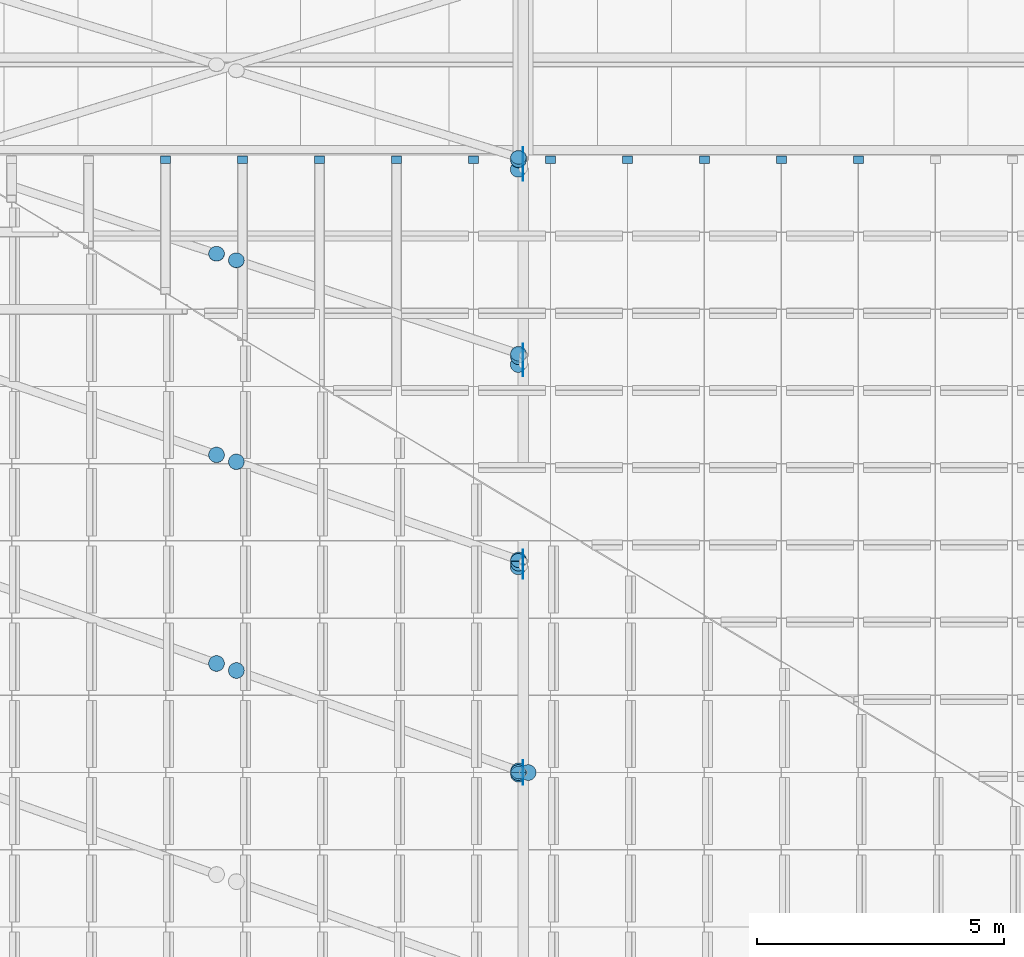
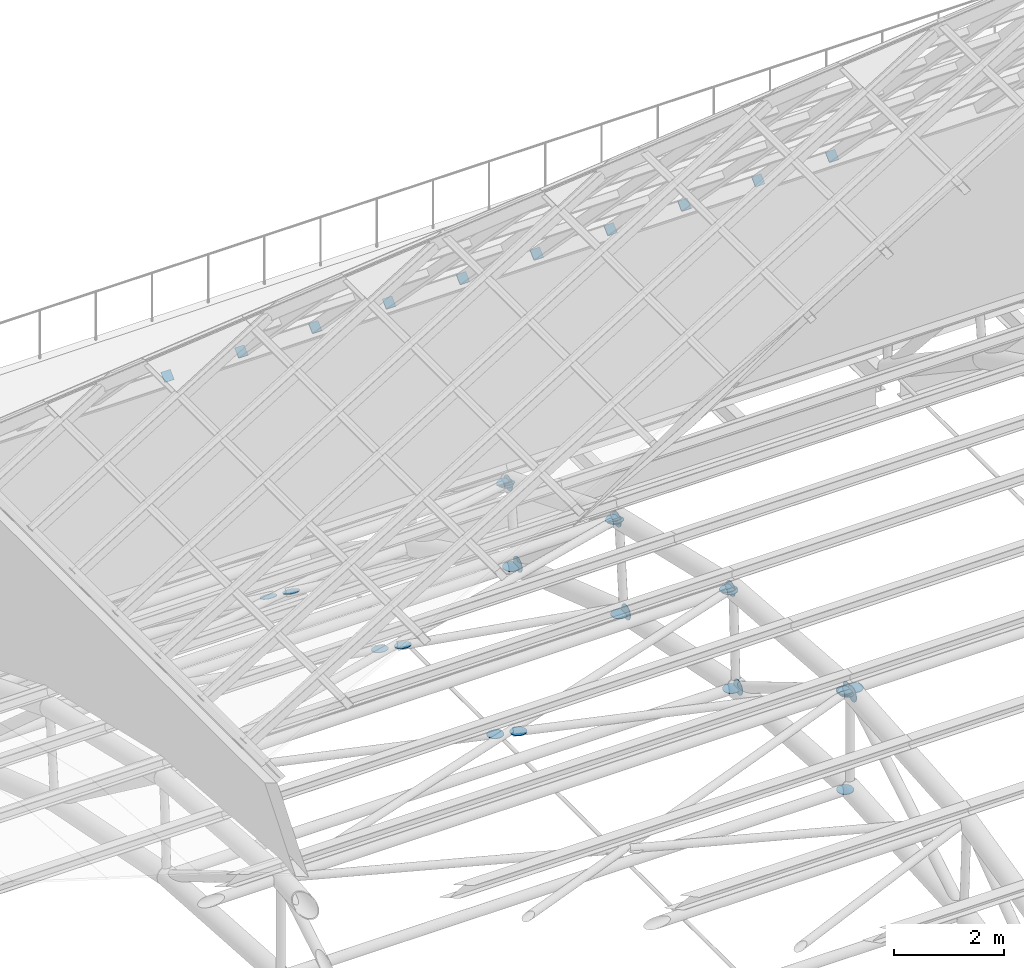
# One storey, part 93 of 110: 41 discrete accessories.
"""IFC4 building model written with IfcOpenShell, lengths in metres."""

from ifc_helpers import new_model, si_unit, direction, frame, origin, origin_2d, place, context, subcontext, project, spatial, rectangle, circle, extrude, material, layer, layer_set, type_object, element, save


model = new_model("IFC4")

# Units and contexts
model_context = context("Model", 3, precision=1e-05, world=origin(), true_north=direction((0.0, 1.0)))
body_context = subcontext(model_context, "Body", "Model", "MODEL_VIEW")
ifc_project = project(units=[si_unit("LENGTHUNIT", "METRE"), si_unit("AREAUNIT", "SQUARE_METRE"), si_unit("VOLUMEUNIT", "CUBIC_METRE"), si_unit("PLANEANGLEUNIT", "RADIAN"), si_unit("MASSUNIT", "GRAM", prefix="KILO")], contexts=[model_context])

# Site, building, storey
site_placement = place(None, origin())
site = spatial("IfcSite", under=ifc_project, at=site_placement, CompositionType="ELEMENT")
building_placement = place(site_placement, origin())
building = spatial("IfcBuilding", under=site, at=building_placement, Name="Windward Yard Aquatics Centre", CompositionType="ELEMENT")
storey_placement = place(building_placement, frame((0.0, 0.0, 22.60009765625)))
storey = spatial("IfcBuildingStorey", under=building, at=storey_placement, Name="L05", CompositionType="ELEMENT", Elevation=22.60009765625)

# Discrete accessories
ifc_material = material(Name="Steel S355", Category="steel")
ifc_layer_1 = layer(ifc_material, 0.010009765625)
ifc_layer_set_1 = layer_set([ifc_layer_1], Name="End cap plate 10 mm RHS203.2x203.2x9.5")
discrete_accessory_type_1 = type_object("IfcDiscreteAccessoryType", Name="End cap plate 10 mm RHS203.2x203.2x9.5", PredefinedType="USERDEFINED", material=ifc_layer_set_1)
for number, where, z_axis, x_axis, name in (
    (1, (106.99560546875, 73.3974609375, 10.791259765625), (0.0, -0.68231825036, 0.731055268243), (1.0, 0.0, 0.0), "End cap"),
    (2, (111.665283203125, 73.3974609375, 10.791259765625), (0.0, -0.68231825036, 0.731055268243), (1.0, 0.0, 0.0), "End cap"),
    (3, (105.439208984375, 73.3974609375, 10.791259765625), (0.0, -0.68231825036, 0.731055268243), (1.0, 0.0, 0.0), "End cap"),
    (4, (110.108642578125, 73.3974609375, 10.791259765625), (0.0, -0.68231825036, 0.731055268243), (1.0, 0.0, 0.0), "End cap"),
    (5, (113.2216796875, 73.3974609375, 10.791259765625), (0.0, -0.68231825036, 0.731055268243), (1.0, 0.0, 0.0), "End cap"),
    (6, (102.326171875, 73.3974609375, 10.791259765625), (0.0, -0.68231825036, 0.731055268243), (1.0, 0.0, 0.0), "End cap"),
    (7, (103.882568359375, 73.3974609375, 10.791259765625), (0.0, -0.68231825036, 0.731055268243), (1.0, 0.0, 0.0), "End cap"),
    (8, (108.55224609375, 73.3974609375, 10.791259765625), (0.0, -0.68231825036, 0.731055268243), (1.0, 0.0, 0.0), "End cap"),
    (9, (114.7783203125, 73.3974609375, 10.791259765625), (0.0, -0.68231825036, 0.731055268243), (1.0, 0.0, 0.0), "End cap"),
    (10, (100.76953125, 73.3974609375, 10.791259765625), (0.0, -0.68231825036, 0.731055268243), (1.0, 0.0, 0.0), "End cap"),
):
    element("IfcDiscreteAccessory", number, at=place(storey_placement, frame(where, z_axis=z_axis, x_axis=x_axis)), inside=storey, type_object=discrete_accessory_type_1, Name=name, ObjectType="END CAP", PredefinedType="USERDEFINED", context=body_context, shape_type="SweptSolid", body=[
        extrude(rectangle(XDim=0.203125, YDim=0.203125, at=origin_2d()), origin(), (0.0, 0.0, 1.0), 0.010009765625),
    ])
ifc_layer_2 = layer(ifc_material, 0.011962890625)
ifc_layer_set_2 = layer_set([ifc_layer_2], Name="Gusset plate 320 mm disc 12 mm")
discrete_accessory_type_2 = type_object("IfcDiscreteAccessoryType", Name="Gusset plate 320 mm disc 12 mm", PredefinedType="USERDEFINED", material=ifc_layer_set_2)
for number, where, z_axis, x_axis, name in (
    (11, (107.993896484375, 60.9140625, 8.74560546875), (1.0, 0.0, 0.0), (0.0, 1.0, 0.0), "Gusset plate"),
    (12, (107.993896484375, 61.0859375, 8.74560546875), (1.0, 0.0, 0.0), (0.0, 1.0, 0.0), "Gusset plate"),
    (13, (107.993896484375, 65.07470703125, 6.374755859375), (1.0, 0.0, 0.0), (0.0, 1.0, 0.0), "Gusset plate"),
    (14, (107.993896484375, 65.3486328125, 8.41015625), (1.0, 0.0, 0.0), (0.0, 1.0, 0.0), "Gusset plate"),
    (15, (107.993896484375, 69.16943359375, 5.568603515625), (1.0, 0.0, 0.0), (0.0, 1.0, 0.0), "Gusset plate"),
    (16, (107.993896484375, 69.51220703125, 7.4306640625), (1.0, 0.0, 0.0), (0.0, 1.0, 0.0), "Gusset plate"),
    (17, (107.993896484375, 73.122314453125, 4.23291015625), (1.0, 0.0, 0.0), (0.0, 1.0, 0.0), "Gusset plate"),
    (18, (107.993896484375, 73.479736328125, 5.8291015625), (1.0, 0.0, 0.0), (0.0, 1.0, 0.0), "Gusset plate"),
):
    element("IfcDiscreteAccessory", number, at=place(storey_placement, frame(where, z_axis=z_axis, x_axis=x_axis)), inside=storey, type_object=discrete_accessory_type_2, Name=name, ObjectType="GUSSET PLATE", PredefinedType="USERDEFINED", context=body_context, shape_type="SweptSolid", body=[
        extrude(circle(Radius=0.159912109375, at=origin_2d()), origin(), (0.0, 0.0, 1.0), 0.01220703125),
    ])
for number, where, z_axis, x_axis, name in (
    (19, (107.89990234375, 61.0, 8.790771484375), (0.0, 0.0, 1.0), (1.0, 0.0, 0.0), "Gusset plate"),
    (20, (107.89990234375, 65.2685546875, 8.4638671875), (0.0, 0.0, 1.0), (1.0, 0.0, 0.0), "Gusset plate"),
):
    element("IfcDiscreteAccessory", number, at=place(storey_placement, frame(where, z_axis=z_axis, x_axis=x_axis)), inside=storey, type_object=discrete_accessory_type_2, Name=name, ObjectType="GUSSET PLATE", PredefinedType="USERDEFINED", context=body_context, shape_type="SweptSolid", body=[
        extrude(circle(Radius=0.159912109375, at=origin_2d()), origin(), (0.0, 0.0, 1.0), 0.011962890625),
    ])
discrete_accessory_1_placement = place(storey_placement, frame((107.89990234375, 69.4375, 7.49072265625), z_axis=(0.0, 0.0, 1.0), x_axis=(1.0, 0.0, 0.0)))
element("IfcDiscreteAccessory", 21, at=discrete_accessory_1_placement, inside=storey, type_object=discrete_accessory_type_2, Name="Gusset plate", ObjectType="GUSSET PLATE", PredefinedType="USERDEFINED", context=body_context, shape_type="SweptSolid", body=[
    extrude(circle(Radius=0.159912109375, at=origin_2d()), origin(), (0.0, 0.0, 1.0), 0.01220703125),
])
for number, where, z_axis, x_axis, name in (
    (22, (107.89990234375, 73.40966796875, 5.89453125), (0.0, 0.0, 1.0), (1.0, 0.0, 0.0), "Gusset plate"),
    (23, (107.90576171875, 60.966064453125, 8.800048828125), (0.0, 0.081362009455, -0.996684615823), (-1.0, 0.0, 0.0), "Gusset plate"),
    (24, (107.90576171875, 65.2353515625, 8.478271484375), (0.0, -0.06111006328, -0.998131033565), (1.0, 0.0, 0.0), "Gusset plate"),
    (25, (101.79931640625, 63.2060546875, 8.6337890625), (0.0, -0.081362009455, -0.996684615823), (1.0, 0.0, 0.0), "Gusset plate"),
    (26, (102.20068359375, 63.0634765625, 8.644775390625), (0.0, -0.081362009455, -0.996684615823), (1.0, 0.0, 0.0), "Gusset plate"),
    (27, (107.90576171875, 61.033935546875, 8.800048828125), (0.0, -0.081362009455, -0.996684615823), (1.0, 0.0, 0.0), "Gusset plate"),
    (28, (107.90576171875, 69.406005859375, 7.51025390625), (0.0, -0.223376156329, -0.974732318528), (1.0, 0.0, 0.0), "Gusset plate"),
    (29, (101.79931640625, 67.424072265625, 7.972900390625), (0.0, -0.223376156329, -0.974732318528), (1.0, 0.0, 0.0), "Gusset plate"),
    (30, (102.20068359375, 67.28466796875, 8.00537109375), (0.0, -0.223376156329, -0.974732318528), (1.0, 0.0, 0.0), "Gusset plate"),
    (31, (107.90576171875, 65.302490234375, 8.468017578125), (0.0, -0.223376156329, -0.974732318528), (1.0, 0.0, 0.0), "Gusset plate"),
):
    element("IfcDiscreteAccessory", number, at=place(storey_placement, frame(where, z_axis=z_axis, x_axis=x_axis)), inside=storey, type_object=discrete_accessory_type_2, Name=name, ObjectType="GUSSET PLATE", PredefinedType="USERDEFINED", context=body_context, shape_type="SweptSolid", body=[
        extrude(circle(Radius=0.159912109375, at=origin_2d()), origin(), (0.0, 0.0, 1.0), 0.011962890625),
    ])
for number, where, z_axis, x_axis, name in (
    (32, (107.90576171875, 73.380615234375, 5.91845703125), (0.0, -0.371390676354, -0.928476690885), (1.0, 0.0, 0.0), "Gusset plate"),
    (33, (101.79931640625, 71.4921875, 6.677490234375), (0.0, -0.371390676354, -0.928476690885), (1.0, 0.0, 0.0), "Gusset plate"),
):
    element("IfcDiscreteAccessory", number, at=place(storey_placement, frame(where, z_axis=z_axis, x_axis=x_axis)), inside=storey, type_object=discrete_accessory_type_2, Name=name, ObjectType="GUSSET PLATE", PredefinedType="USERDEFINED", context=body_context, shape_type="SweptSolid", body=[
        extrude(circle(Radius=0.159912109375, at=origin_2d()), origin(), (0.0, 0.0, 1.0), 0.01171875),
    ])
discrete_accessory_2_placement = place(storey_placement, frame((102.20068359375, 71.359375, 6.73095703125), z_axis=(0.0, -0.364399348581, -0.931242779706), x_axis=(1.0, 0.0, 0.0)))
element("IfcDiscreteAccessory", 34, at=discrete_accessory_2_placement, inside=storey, type_object=discrete_accessory_type_2, Name="Gusset plate", ObjectType="GUSSET PLATE", PredefinedType="USERDEFINED", context=body_context, shape_type="SweptSolid", body=[
    extrude(circle(Radius=0.159912109375, at=origin_2d()), origin(), (0.0, 0.0, 1.0), 0.011962890625),
])
discrete_accessory_3_placement = place(storey_placement, frame((107.90576171875, 69.470947265625, 7.489990234375), z_axis=(0.0, -0.38176015442, -0.92426142649), x_axis=(1.0, 0.0, 0.0)))
element("IfcDiscreteAccessory", 35, at=discrete_accessory_3_placement, inside=storey, type_object=discrete_accessory_type_2, Name="Gusset plate", ObjectType="GUSSET PLATE", PredefinedType="USERDEFINED", context=body_context, shape_type="SweptSolid", body=[
    extrude(circle(Radius=0.159912109375, at=origin_2d()), origin(), (0.0, 0.0, 1.0), 0.01220703125),
])
for number, where, z_axis, x_axis, name in (
    (36, (107.90576171875, 73.441650390625, 5.888427734375), (0.0, -0.511483859768, -0.85929288441), (1.0, 0.0, 0.0), "Gusset plate"),
    (37, (107.89990234375, 61.0, 6.5908203125), (0.0, 0.0, 1.0), (1.0, 0.0, 0.0), "Gusset plate"),
    (38, (107.89990234375, 65.16064453125, 6.317626953125), (0.0, 0.0, 1.0), (1.0, 0.0, 0.0), "Gusset plate"),
    (39, (107.89990234375, 69.249755859375, 5.5029296875), (0.0, 0.0, 1.0), (1.0, 0.0, 0.0), "Gusset plate"),
):
    element("IfcDiscreteAccessory", number, at=place(storey_placement, frame(where, z_axis=z_axis, x_axis=x_axis)), inside=storey, type_object=discrete_accessory_type_2, Name=name, ObjectType="GUSSET PLATE", PredefinedType="USERDEFINED", context=body_context, shape_type="SweptSolid", body=[
        extrude(circle(Radius=0.159912109375, at=origin_2d()), origin(), (0.0, 0.0, 1.0), 0.011962890625),
    ])
discrete_accessory_4_placement = place(storey_placement, frame((107.89990234375, 73.197265625, 4.160400390625), z_axis=(0.0, 0.0, 1.0), x_axis=(1.0, 0.0, 0.0)))
element("IfcDiscreteAccessory", 40, at=discrete_accessory_4_placement, inside=storey, type_object=discrete_accessory_type_2, Name="Gusset plate", ObjectType="GUSSET PLATE", PredefinedType="USERDEFINED", context=body_context, shape_type="SweptSolid", body=[
    extrude(circle(Radius=0.159912109375, at=origin_2d()), origin(), (0.0, 0.0, 1.0), 0.01220703125),
])
discrete_accessory_5_placement = place(storey_placement, frame((108.10009765625, 61.0, 8.790771484375), z_axis=(0.0, 0.0, 1.0), x_axis=(1.0, 0.0, 0.0)))
element("IfcDiscreteAccessory", 41, at=discrete_accessory_5_placement, inside=storey, type_object=discrete_accessory_type_2, Name="Gusset plate", ObjectType="GUSSET PLATE", PredefinedType="USERDEFINED", context=body_context, shape_type="SweptSolid", body=[
    extrude(circle(Radius=0.159912109375, at=origin_2d()), origin(), (0.0, 0.0, 1.0), 0.011962890625),
])

save(model, "model.ifc")
